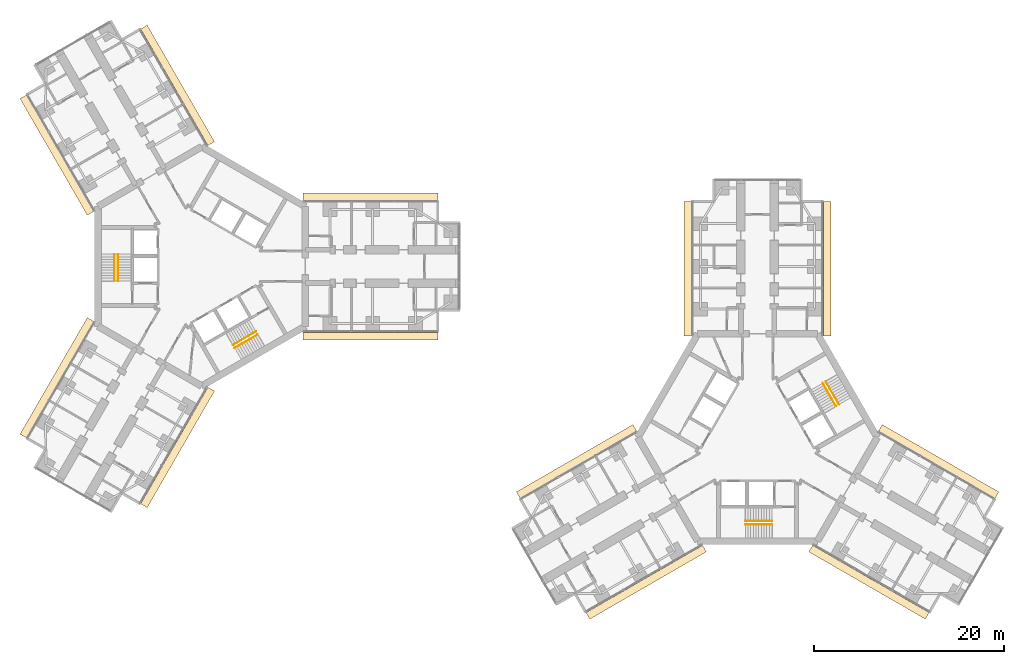
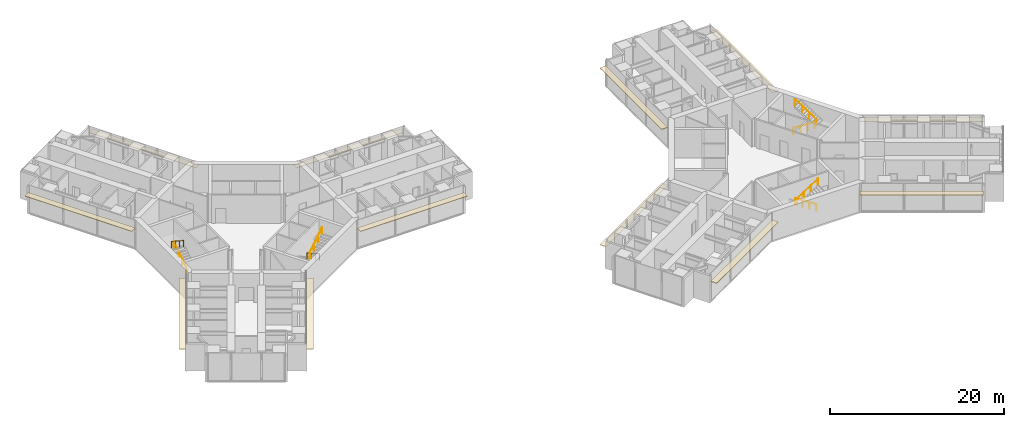
# One storey, part 24 of 24: 12 coverings, 8 railings.
"""IFC4 building model written with IfcOpenShell, lengths in metres."""

from ifc_helpers import new_model, si_unit, direction, frame, origin, origin_2d, place, context, subcontext, project, spatial, rectangle, circle, extrude, material, layer, layer_set, type_object, element, save


model = new_model("IFC4")

# Units and contexts
model_context = context("Model", 3, precision=1e-05, world=origin(), true_north=direction((0.0, 1.0)))
body_context = subcontext(model_context, "Body", "Model", "MODEL_VIEW")
ifc_project = project(units=[si_unit("LENGTHUNIT", "METRE"), si_unit("AREAUNIT", "SQUARE_METRE"), si_unit("VOLUMEUNIT", "CUBIC_METRE"), si_unit("PLANEANGLEUNIT", "RADIAN"), si_unit("MASSUNIT", "GRAM", prefix="KILO")], contexts=[model_context])

# Site, building, storey
site_placement = place(None, origin())
site = spatial("IfcSite", under=ifc_project, at=site_placement, CompositionType="ELEMENT")
building_placement = place(site_placement, origin())
building = spatial("IfcBuilding", under=site, at=building_placement, Name="Upepo Twin Towers", CompositionType="ELEMENT")
storey_placement = place(building_placement, frame((0.0, 0.0, 56.5)))
storey = spatial("IfcBuildingStorey", under=building, at=storey_placement, Name="L13", CompositionType="ELEMENT", Elevation=56.5)

# Coverings
ifc_material_1 = material(Name="Anodised aluminium, pale silver", Category="aluminium")
ifc_layer = layer(ifc_material_1, 0.080078125)
ifc_layer_set = layer_set([ifc_layer], Name="Brise-soleil blade 800 pale aluminium")
covering_type = type_object("IfcCoveringType", Name="Brise-soleil blade 800 pale aluminium", PredefinedType="USERDEFINED", material=ifc_layer_set)
for number, where, z_axis, x_axis, name in (
    (1, (17.7685546875, 7.330078125, 2.909912109375), (0.0, 0.0, 1.0), (1.0, 0.0, 0.0), "T1 L13 wing A brise-soleil L"),
    (2, (17.7685546875, -7.330078125, 2.909912109375), (0.0, 0.0, 1.0), (1.0, 0.0, 0.0), "T1 L13 wing A brise-soleil R"),
    (3, (-15.232177734375, 11.722900390625, 2.909912109375), (0.0, 0.0, 1.0), (-0.50000003023, 0.866025386331, 0.0), "T1 L13 wing B brise-soleil L"),
    (4, (-2.536376953125, 19.052978515625, 2.909912109375), (0.0, 0.0, 1.0), (-0.50000003023, 0.866025386331, 0.0), "T1 L13 wing B brise-soleil R"),
    (5, (-2.536376953125, -19.052978515625, 2.909912109375), (0.0, 0.0, 1.0), (-0.50000003023, -0.866025386331, 0.0), "T1 L13 wing C brise-soleil L"),
    (6, (-15.232177734375, -11.722900390625, 2.909912109375), (0.0, 0.0, 1.0), (-0.50000003023, -0.866025386331, 0.0), "T1 L13 wing C brise-soleil R"),
    (7, (51.169921875, -0.2314453125, 2.909912109375), (0.0, 0.0, 1.0), (0.0, 1.0, 0.0), "T2 L13 wing A brise-soleil L"),
    (8, (65.830078125, -0.2314453125, 2.909912109375), (0.0, 0.0, 1.0), (0.0, 1.0, 0.0), "T2 L13 wing A brise-soleil R"),
    (9, (46.777099609375, -33.232177734375, 2.909912109375), (0.0, 0.0, 1.0), (-0.866025386331, -0.50000003023, 0.0), "T2 L13 wing B brise-soleil L"),
    (10, (39.447021484375, -20.536376953125, 2.909912109375), (0.0, 0.0, 1.0), (-0.866025386331, -0.50000003023, 0.0), "T2 L13 wing B brise-soleil R"),
    (11, (77.552978515625, -20.536376953125, 2.909912109375), (0.0, 0.0, 1.0), (0.866025386331, -0.50000003023, 0.0), "T2 L13 wing C brise-soleil L"),
    (12, (70.222900390625, -33.232177734375, 2.909912109375), (0.0, 0.0, 1.0), (0.866025386331, -0.50000003023, 0.0), "T2 L13 wing C brise-soleil R"),
):
    element("IfcCovering", number, at=place(storey_placement, frame(where, z_axis=z_axis, x_axis=x_axis)), inside=storey, type_object=covering_type, Name=name, ObjectType="SUNSHADE", PredefinedType="USERDEFINED", context=body_context, shape_type="SweptSolid", body=[
        extrude(rectangle(XDim=14.162841796875, YDim=0.800048828125, at=origin_2d()), origin(), (0.0, 0.0, 1.0), 0.080078125),
    ])

# Railings
ifc_material_2 = material(Name="Stainless steel", Category="steel")
railing_type = type_object("IfcRailingType", Name="Stair handrail 900", PredefinedType="HANDRAIL", material=ifc_material_2)
railing_1_placement = place(storey_placement, frame((-8.800048828125, -1.52001953125, 0.181884765625)))
element("IfcRailing", 13, at=railing_1_placement, inside=storey, type_object=railing_type, Name="T1 stair S1 L13 handrail 1", PredefinedType="HANDRAIL", context=body_context, shape_type="SweptSolid", body=[
    extrude(circle(Radius=0.02392578125, at=origin_2d()), frame((0.0, 0.0, 0.8759765625), z_axis=(0.0, 0.838705829183, 0.544584733623), x_axis=(-1.0, 0.0, 0.0)), (0.0, 0.0, 1.0), 3.338623046875),
    extrude(circle(Radius=0.02099609375, at=origin_2d()), origin(), (0.0, 0.0, 1.0), 0.851806640625),
    extrude(circle(Radius=0.02099609375, at=origin_2d()), frame((0.0, 0.933349609375, 0.60595703125)), (0.0, 0.0, 1.0), 0.851806640625),
    extrude(circle(Radius=0.02099609375, at=origin_2d()), frame((0.0, 1.86669921875, 1.212158203125)), (0.0, 0.0, 1.0), 0.851806640625),
    extrude(circle(Radius=0.02099609375, at=origin_2d()), frame((0.0, 2.800048828125, 1.818115234375)), (0.0, 0.0, 1.0), 0.851806640625),
])
railing_2_placement = place(storey_placement, frame((-9.158447265625, 1.280029296875, 2.181884765625)))
element("IfcRailing", 14, at=railing_2_placement, inside=storey, type_object=railing_type, Name="T1 stair S1 L13 handrail 2", PredefinedType="HANDRAIL", context=body_context, shape_type="SweptSolid", body=[
    extrude(circle(Radius=0.02392578125, at=origin_2d()), frame((0.0, 0.0, 0.8759765625), z_axis=(0.0, -0.838705829183, 0.544584733623), x_axis=(1.0, 0.0, 0.0)), (0.0, 0.0, 1.0), 3.338623046875),
    extrude(circle(Radius=0.02099609375, at=origin_2d()), origin(), (0.0, 0.0, 1.0), 0.851806640625),
    extrude(circle(Radius=0.02099609375, at=origin_2d()), frame((0.0, -0.933349609375, 0.60595703125)), (0.0, 0.0, 1.0), 0.851806640625),
    extrude(circle(Radius=0.02099609375, at=origin_2d()), frame((0.0, -1.86669921875, 1.212158203125)), (0.0, 0.0, 1.0), 0.851806640625),
    extrude(circle(Radius=0.02099609375, at=origin_2d()), frame((0.0, -2.800048828125, 1.818115234375)), (0.0, 0.0, 1.0), 0.851806640625),
])
railing_3_placement = place(storey_placement, frame((5.71630859375, -6.861083984375, 0.181884765625)))
element("IfcRailing", 15, at=railing_3_placement, inside=storey, type_object=railing_type, Name="T1 stair S2 L13 handrail 1", PredefinedType="HANDRAIL", context=body_context, shape_type="SweptSolid", body=[
    extrude(circle(Radius=0.02392578125, at=origin_2d()), frame((0.0, 0.0, 0.8759765625), z_axis=(-0.726336304947, -0.419332699614, 0.544605966869), x_axis=(0.49998411664, -0.866034573852, 0.0)), (0.0, 0.0, 1.0), 3.33837890625),
    extrude(circle(Radius=0.02099609375, at=origin_2d()), origin(), (0.0, 0.0, 1.0), 0.851806640625),
    extrude(circle(Radius=0.02099609375, at=origin_2d()), frame((-0.808349609375, -0.466552734375, 0.60595703125)), (0.0, 0.0, 1.0), 0.851806640625),
    extrude(circle(Radius=0.02099609375, at=origin_2d()), frame((-1.616455078125, -0.933349609375, 1.212158203125)), (0.0, 0.0, 1.0), 0.851806640625),
    extrude(circle(Radius=0.02099609375, at=origin_2d()), frame((-2.4248046875, -1.39990234375, 1.818115234375)), (0.0, 0.0, 1.0), 0.851806640625),
])
railing_4_placement = place(storey_placement, frame((3.470703125, -8.5712890625, 2.181884765625)))
element("IfcRailing", 16, at=railing_4_placement, inside=storey, type_object=railing_type, Name="T1 stair S2 L13 handrail 2", PredefinedType="HANDRAIL", context=body_context, shape_type="SweptSolid", body=[
    extrude(circle(Radius=0.02392578125, at=origin_2d()), frame((0.0, 0.0, 0.8759765625), z_axis=(0.726336304947, 0.419332699614, 0.544605966869), x_axis=(-0.49998411664, 0.866034573852, 0.0)), (0.0, 0.0, 1.0), 3.33837890625),
    extrude(circle(Radius=0.02099609375, at=origin_2d()), origin(), (0.0, 0.0, 1.0), 0.851806640625),
    extrude(circle(Radius=0.02099609375, at=origin_2d()), frame((0.808349609375, 0.466552734375, 0.60595703125)), (0.0, 0.0, 1.0), 0.851806640625),
    extrude(circle(Radius=0.02099609375, at=origin_2d()), frame((1.616455078125, 0.933349609375, 1.212158203125)), (0.0, 0.0, 1.0), 0.851806640625),
    extrude(circle(Radius=0.02099609375, at=origin_2d()), frame((2.4248046875, 1.39990234375, 1.818115234375)), (0.0, 0.0, 1.0), 0.851806640625),
])
railing_5_placement = place(storey_placement, frame((60.02001953125, -26.800048828125, 0.181884765625)))
element("IfcRailing", 17, at=railing_5_placement, inside=storey, type_object=railing_type, Name="T2 stair S1 L13 handrail 1", PredefinedType="HANDRAIL", context=body_context, shape_type="SweptSolid", body=[
    extrude(circle(Radius=0.02392578125, at=origin_2d()), frame((0.0, 0.0, 0.8759765625), z_axis=(-0.838705829183, 0.0, 0.544584733623), x_axis=(0.0, -1.0, 0.0)), (0.0, 0.0, 1.0), 3.338623046875),
    extrude(circle(Radius=0.02099609375, at=origin_2d()), origin(), (0.0, 0.0, 1.0), 0.851806640625),
    extrude(circle(Radius=0.02099609375, at=origin_2d()), frame((-0.933349609375, 0.0, 0.60595703125)), (0.0, 0.0, 1.0), 0.851806640625),
    extrude(circle(Radius=0.02099609375, at=origin_2d()), frame((-1.86669921875, 0.0, 1.212158203125)), (0.0, 0.0, 1.0), 0.851806640625),
    extrude(circle(Radius=0.02099609375, at=origin_2d()), frame((-2.800048828125, 0.0, 1.818115234375)), (0.0, 0.0, 1.0), 0.851806640625),
])
railing_6_placement = place(storey_placement, frame((57.219970703125, -27.158447265625, 2.181884765625)))
element("IfcRailing", 18, at=railing_6_placement, inside=storey, type_object=railing_type, Name="T2 stair S1 L13 handrail 2", PredefinedType="HANDRAIL", context=body_context, shape_type="SweptSolid", body=[
    extrude(circle(Radius=0.02392578125, at=origin_2d()), frame((0.0, 0.0, 0.8759765625), z_axis=(0.838705829183, 0.0, 0.544584733623), x_axis=(0.0, 1.0, 0.0)), (0.0, 0.0, 1.0), 3.338623046875),
    extrude(circle(Radius=0.02099609375, at=origin_2d()), origin(), (0.0, 0.0, 1.0), 0.851806640625),
    extrude(circle(Radius=0.02099609375, at=origin_2d()), frame((0.933349609375, 0.0, 0.60595703125)), (0.0, 0.0, 1.0), 0.851806640625),
    extrude(circle(Radius=0.02099609375, at=origin_2d()), frame((1.86669921875, 0.0, 1.212158203125)), (0.0, 0.0, 1.0), 0.851806640625),
    extrude(circle(Radius=0.02099609375, at=origin_2d()), frame((2.800048828125, 0.0, 1.818115234375)), (0.0, 0.0, 1.0), 0.851806640625),
])
railing_7_placement = place(storey_placement, frame((65.361083984375, -12.28369140625, 0.181884765625)))
element("IfcRailing", 19, at=railing_7_placement, inside=storey, type_object=railing_type, Name="T2 stair S2 L13 handrail 1", PredefinedType="HANDRAIL", context=body_context, shape_type="SweptSolid", body=[
    extrude(circle(Radius=0.02392578125, at=origin_2d()), frame((0.0, 0.0, 0.8759765625), z_axis=(0.419332699614, -0.726336304947, 0.544605966869), x_axis=(0.866034573852, 0.49998411664, 0.0)), (0.0, 0.0, 1.0), 3.33837890625),
    extrude(circle(Radius=0.02099609375, at=origin_2d()), origin(), (0.0, 0.0, 1.0), 0.851806640625),
    extrude(circle(Radius=0.02099609375, at=origin_2d()), frame((0.466552734375, -0.808349609375, 0.60595703125)), (0.0, 0.0, 1.0), 0.851806640625),
    extrude(circle(Radius=0.02099609375, at=origin_2d()), frame((0.933349609375, -1.616455078125, 1.212158203125)), (0.0, 0.0, 1.0), 0.851806640625),
    extrude(circle(Radius=0.02099609375, at=origin_2d()), frame((1.39990234375, -2.4248046875, 1.818115234375)), (0.0, 0.0, 1.0), 0.851806640625),
])
railing_8_placement = place(storey_placement, frame((67.0712890625, -14.529296875, 2.181884765625)))
element("IfcRailing", 20, at=railing_8_placement, inside=storey, type_object=railing_type, Name="T2 stair S2 L13 handrail 2", PredefinedType="HANDRAIL", context=body_context, shape_type="SweptSolid", body=[
    extrude(circle(Radius=0.02392578125, at=origin_2d()), frame((0.0, 0.0, 0.8759765625), z_axis=(-0.419332699614, 0.726336304947, 0.544605966869), x_axis=(-0.866034573852, -0.49998411664, 0.0)), (0.0, 0.0, 1.0), 3.33837890625),
    extrude(circle(Radius=0.02099609375, at=origin_2d()), origin(), (0.0, 0.0, 1.0), 0.851806640625),
    extrude(circle(Radius=0.02099609375, at=origin_2d()), frame((-0.466552734375, 0.808349609375, 0.60595703125)), (0.0, 0.0, 1.0), 0.851806640625),
    extrude(circle(Radius=0.02099609375, at=origin_2d()), frame((-0.933349609375, 1.616455078125, 1.212158203125)), (0.0, 0.0, 1.0), 0.851806640625),
    extrude(circle(Radius=0.02099609375, at=origin_2d()), frame((-1.39990234375, 2.4248046875, 1.818115234375)), (0.0, 0.0, 1.0), 0.851806640625),
])

save(model, "model.ifc")
